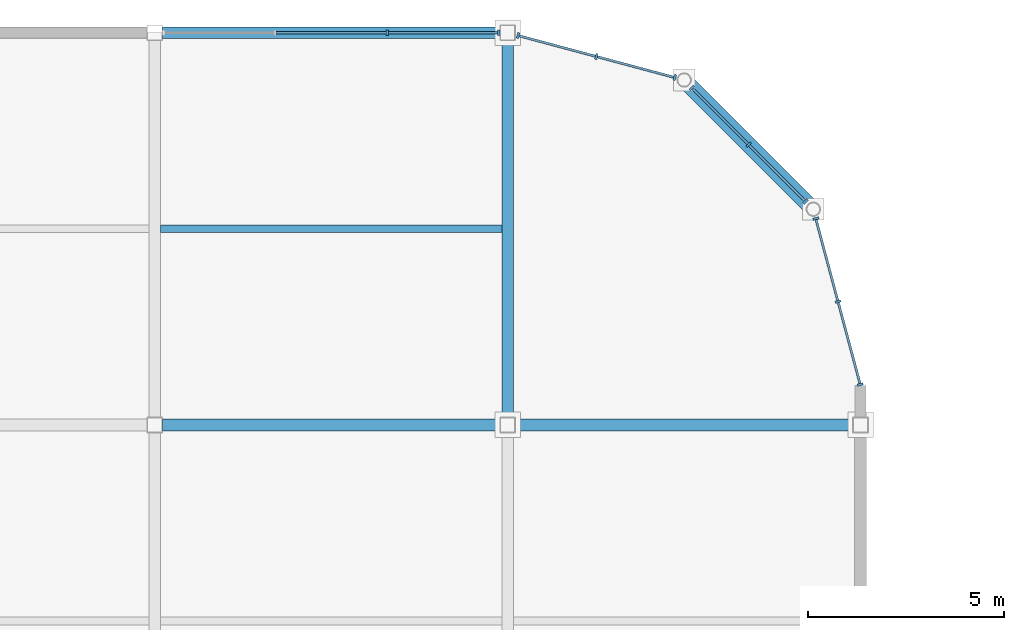
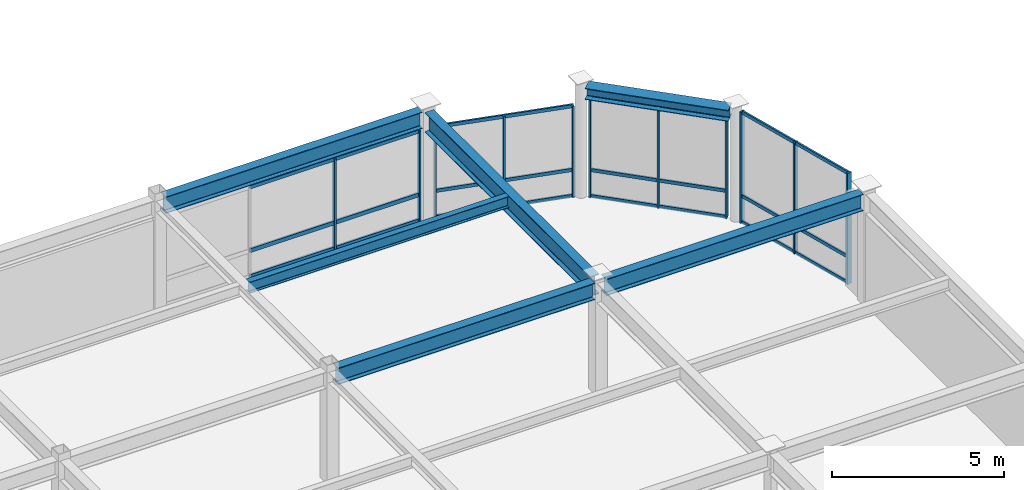
# One storey, part 32 of 70: 35 members, 6 beams, 4 elements without a shape of their own.
"""IFC4 building model written with IfcOpenShell, lengths in metres."""

from ifc_helpers import new_model, si_unit, direction, frame, origin, origin_2d, place, context, subcontext, project, spatial, rectangle, i_section, extrude, material, material_profile, profile_set, type_object, element, aggregate, save


model = new_model("IFC4")

# Units and contexts
model_context = context("Model", 3, precision=1e-05, world=origin(), true_north=direction((0.0, 1.0)))
body_context = subcontext(model_context, "Body", "Model", "MODEL_VIEW")
ifc_project = project(units=[si_unit("LENGTHUNIT", "METRE"), si_unit("AREAUNIT", "SQUARE_METRE"), si_unit("VOLUMEUNIT", "CUBIC_METRE"), si_unit("PLANEANGLEUNIT", "RADIAN"), si_unit("MASSUNIT", "GRAM", prefix="KILO")], contexts=[model_context])

# Site, building, storey
site_placement = place(None, origin())
site = spatial("IfcSite", under=ifc_project, at=site_placement, CompositionType="ELEMENT")
building_placement = place(site_placement, origin())
building = spatial("IfcBuilding", under=site, at=building_placement, Name="Suzunagisa Mobility Hub", CompositionType="ELEMENT")
storey_placement = place(building_placement, frame((0.0, 0.0, 13.5)))
storey = spatial("IfcBuildingStorey", under=building, at=storey_placement, Name="L03", CompositionType="ELEMENT", Elevation=13.5)

# Curtain wall, members
ifc_material_1 = material(Name="Thermally Broken Anodized Aluminum and Low-E Glazing", Category="aluminium")
curtain_wall_type_1 = type_object("IfcCurtainWallType", Name="Unitised Curtain Wall CW-18 8500x3200", PredefinedType="USERDEFINED", material=ifc_material_1)
curtain_wall_1_placement = place(storey_placement, origin())
curtain_wall_1 = element("IfcCurtainWall", 1, at=curtain_wall_1_placement, inside=storey, type_object=curtain_wall_type_1, Name="L03 Unitised Curtain Wall CW-128", ObjectType="UNITISED CURTAIN WALL", PredefinedType="USERDEFINED")
ifc_material_2 = material(Name="Anodized Aluminum 6063-T6", Category="aluminium")
ifc_material_profile_1 = material_profile(ifc_material_2, rectangle(XDim=0.06494140625, YDim=0.139892578125, at=origin_2d()), Name="TRAN-65x140")
ifc_profile_set_1 = profile_set([ifc_material_profile_1], Name="Anodized Aluminum 6063-T6")
member_type_1 = type_object("IfcMemberType", Name="Curtain Wall Framing CM-01 TRAN-65x140", PredefinedType="USERDEFINED", material=ifc_profile_set_1)
member_1_placement = place(storey_placement, frame((116.741943359375, 118.0, 0.032470703125), z_axis=(-1.0, 0.0, 0.0), x_axis=(0.0, -1.0, 0.0)))
member_1 = element("IfcMember", 2, at=member_1_placement, type_object=member_type_1, Name="Curtain Wall Transom 128-T1.1", ObjectType="TRANSOM", PredefinedType="USERDEFINED", context=body_context, shape_type="SweptSolid", body=[
    extrude(rectangle(XDim=0.06494140625, YDim=0.139892578125, at=origin_2d()), origin(), (0.0, 0.0, 1.0), 2.78076171875),
])
member_2_placement = place(storey_placement, frame((116.741943359375, 118.0, 0.949951171875), z_axis=(-1.0, 0.0, 0.0), x_axis=(0.0, -1.0, 0.0)))
member_2 = element("IfcMember", 3, at=member_2_placement, type_object=member_type_1, Name="Curtain Wall Transom 128-T1.2", ObjectType="TRANSOM", PredefinedType="USERDEFINED", context=body_context, shape_type="SweptSolid", body=[
    extrude(rectangle(XDim=0.06494140625, YDim=0.139892578125, at=origin_2d()), origin(), (0.0, 0.0, 1.0), 2.78076171875),
])
member_3_placement = place(storey_placement, frame((116.741943359375, 118.0, 3.20751953125), z_axis=(-1.0, 0.0, 0.0), x_axis=(0.0, -1.0, 0.0)))
member_3 = element("IfcMember", 4, at=member_3_placement, type_object=member_type_1, Name="Curtain Wall Transom 128-T1.3", ObjectType="TRANSOM", PredefinedType="USERDEFINED", context=body_context, shape_type="SweptSolid", body=[
    extrude(rectangle(XDim=0.06494140625, YDim=0.139892578125, at=origin_2d()), origin(), (0.0, 0.0, 1.0), 2.78076171875),
])
member_4_placement = place(storey_placement, frame((113.9052734375, 118.0, 0.032470703125), z_axis=(-1.0, 0.0, 0.0), x_axis=(0.0, -1.0, 0.0)))
member_4 = element("IfcMember", 5, at=member_4_placement, type_object=member_type_1, Name="Curtain Wall Transom 128-T2.1", ObjectType="TRANSOM", PredefinedType="USERDEFINED", context=body_context, shape_type="SweptSolid", body=[
    extrude(rectangle(XDim=0.06494140625, YDim=0.139892578125, at=origin_2d()), origin(), (0.0, 0.0, 1.0), 2.810546875),
])
member_5_placement = place(storey_placement, frame((113.9052734375, 118.0, 0.949951171875), z_axis=(-1.0, 0.0, 0.0), x_axis=(0.0, -1.0, 0.0)))
member_5 = element("IfcMember", 6, at=member_5_placement, type_object=member_type_1, Name="Curtain Wall Transom 128-T2.2", ObjectType="TRANSOM", PredefinedType="USERDEFINED", context=body_context, shape_type="SweptSolid", body=[
    extrude(rectangle(XDim=0.06494140625, YDim=0.139892578125, at=origin_2d()), origin(), (0.0, 0.0, 1.0), 2.810546875),
])
member_6_placement = place(storey_placement, frame((113.9052734375, 118.0, 3.20751953125), z_axis=(-1.0, 0.0, 0.0), x_axis=(0.0, -1.0, 0.0)))
member_6 = element("IfcMember", 7, at=member_6_placement, type_object=member_type_1, Name="Curtain Wall Transom 128-T2.3", ObjectType="TRANSOM", PredefinedType="USERDEFINED", context=body_context, shape_type="SweptSolid", body=[
    extrude(rectangle(XDim=0.06494140625, YDim=0.139892578125, at=origin_2d()), origin(), (0.0, 0.0, 1.0), 2.810546875),
])

curtain_wall_type_2 = type_object("IfcCurtainWallType", Name="Unitised Curtain Wall CW-48 4500x3900", PredefinedType="USERDEFINED", material=ifc_material_1)
curtain_wall_2_placement = place(storey_placement, origin())
curtain_wall_2 = element("IfcCurtainWall", 8, at=curtain_wall_2_placement, inside=storey, type_object=curtain_wall_type_2, Name="L03 Unitised Curtain Wall CW-125", ObjectType="UNITISED CURTAIN WALL", PredefinedType="USERDEFINED")
ifc_material_profile_2 = material_profile(ifc_material_2, rectangle(XDim=0.06005859375, YDim=0.1201171875, at=origin_2d()), Name="TRAN-60x120")
ifc_profile_set_2 = profile_set([ifc_material_profile_2], Name="Anodized Aluminum 6063-T6")
member_type_2 = type_object("IfcMemberType", Name="Curtain Wall Framing CM-02 TRAN-60x120", PredefinedType="USERDEFINED", material=ifc_profile_set_2)
member_7_placement = place(storey_placement, frame((125.985107421875, 109.055908203125, 0.030029296875), z_axis=(-0.258808494253, 0.965928653319, 0.0), x_axis=(-0.965928653319, -0.258808494253, 0.0)))
member_7 = element("IfcMember", 9, at=member_7_placement, type_object=member_type_2, Name="Curtain Wall Transom 125-T1.1", ObjectType="TRANSOM", PredefinedType="USERDEFINED", context=body_context, shape_type="SweptSolid", body=[
    extrude(rectangle(XDim=0.06005859375, YDim=0.1201171875, at=origin_2d()), origin(), (0.0, 0.0, 1.0), 2.134765625),
])
member_8_placement = place(storey_placement, frame((125.985107421875, 109.055908203125, 0.949951171875), z_axis=(-0.258808494253, 0.965928653319, 0.0), x_axis=(-0.965928653319, -0.258808494253, 0.0)))
member_8 = element("IfcMember", 10, at=member_8_placement, type_object=member_type_2, Name="Curtain Wall Transom 125-T1.2", ObjectType="TRANSOM", PredefinedType="USERDEFINED", context=body_context, shape_type="SweptSolid", body=[
    extrude(rectangle(XDim=0.06005859375, YDim=0.1201171875, at=origin_2d()), origin(), (0.0, 0.0, 1.0), 2.134765625),
])
member_9_placement = place(storey_placement, frame((125.985107421875, 109.055908203125, 3.909912109375), z_axis=(-0.258808494253, 0.965928653319, 0.0), x_axis=(-0.965928653319, -0.258808494253, 0.0)))
member_9 = element("IfcMember", 11, at=member_9_placement, type_object=member_type_2, Name="Curtain Wall Transom 125-T1.3", ObjectType="TRANSOM", PredefinedType="USERDEFINED", context=body_context, shape_type="SweptSolid", body=[
    extrude(rectangle(XDim=0.06005859375, YDim=0.1201171875, at=origin_2d()), origin(), (0.0, 0.0, 1.0), 2.134765625),
])
member_10_placement = place(storey_placement, frame((125.41796875, 111.171875, 0.030029296875), z_axis=(-0.258837087522, 0.965920991657, 0.0), x_axis=(-0.965920991657, -0.258837087522, 0.0)))
member_10 = element("IfcMember", 12, at=member_10_placement, type_object=member_type_2, Name="Curtain Wall Transom 125-T2.1", ObjectType="TRANSOM", PredefinedType="USERDEFINED", context=body_context, shape_type="SweptSolid", body=[
    extrude(rectangle(XDim=0.06005859375, YDim=0.1201171875, at=origin_2d()), origin(), (0.0, 0.0, 1.0), 2.134521484375),
])
member_11_placement = place(storey_placement, frame((125.41796875, 111.171875, 0.949951171875), z_axis=(-0.258837087522, 0.965920991657, 0.0), x_axis=(-0.965920991657, -0.258837087522, 0.0)))
member_11 = element("IfcMember", 13, at=member_11_placement, type_object=member_type_2, Name="Curtain Wall Transom 125-T2.2", ObjectType="TRANSOM", PredefinedType="USERDEFINED", context=body_context, shape_type="SweptSolid", body=[
    extrude(rectangle(XDim=0.06005859375, YDim=0.1201171875, at=origin_2d()), origin(), (0.0, 0.0, 1.0), 2.134521484375),
])
member_12_placement = place(storey_placement, frame((125.41796875, 111.171875, 3.909912109375), z_axis=(-0.258837087522, 0.965920991657, 0.0), x_axis=(-0.965920991657, -0.258837087522, 0.0)))
member_12 = element("IfcMember", 14, at=member_12_placement, type_object=member_type_2, Name="Curtain Wall Transom 125-T2.3", ObjectType="TRANSOM", PredefinedType="USERDEFINED", context=body_context, shape_type="SweptSolid", body=[
    extrude(rectangle(XDim=0.06005859375, YDim=0.1201171875, at=origin_2d()), origin(), (0.0, 0.0, 1.0), 2.134521484375),
])

curtain_wall_type_3 = type_object("IfcCurtainWallType", Name="Unitised Curtain Wall CW-24 4250x3500", PredefinedType="USERDEFINED", material=ifc_material_1)
curtain_wall_3_placement = place(storey_placement, origin())
curtain_wall_3 = element("IfcCurtainWall", 15, at=curtain_wall_3_placement, inside=storey, type_object=curtain_wall_type_3, Name="L03 Unitised Curtain Wall CW-126", ObjectType="UNITISED CURTAIN WALL", PredefinedType="USERDEFINED")
member_13_placement = place(storey_placement, frame((124.575439453125, 113.71875, 0.030029296875), z_axis=(-0.707106781187, 0.707106781187, 0.0), x_axis=(-0.707106781187, -0.707106781187, 0.0)))
member_13 = element("IfcMember", 16, at=member_13_placement, type_object=member_type_2, Name="Curtain Wall Transom 126-T1.1", ObjectType="TRANSOM", PredefinedType="USERDEFINED", context=body_context, shape_type="SweptSolid", body=[
    extrude(rectangle(XDim=0.06005859375, YDim=0.1201171875, at=origin_2d()), origin(), (0.0, 0.0, 1.0), 1.991943359375),
])
member_14_placement = place(storey_placement, frame((124.575439453125, 113.71875, 0.949951171875), z_axis=(-0.707106781187, 0.707106781187, 0.0), x_axis=(-0.707106781187, -0.707106781187, 0.0)))
member_14 = element("IfcMember", 17, at=member_14_placement, type_object=member_type_2, Name="Curtain Wall Transom 126-T1.2", ObjectType="TRANSOM", PredefinedType="USERDEFINED", context=body_context, shape_type="SweptSolid", body=[
    extrude(rectangle(XDim=0.06005859375, YDim=0.1201171875, at=origin_2d()), origin(), (0.0, 0.0, 1.0), 1.991943359375),
])
member_15_placement = place(storey_placement, frame((124.575439453125, 113.71875, 3.510009765625), z_axis=(-0.707106781187, 0.707106781187, 0.0), x_axis=(-0.707106781187, -0.707106781187, 0.0)))
member_15 = element("IfcMember", 18, at=member_15_placement, type_object=member_type_2, Name="Curtain Wall Transom 126-T1.3", ObjectType="TRANSOM", PredefinedType="USERDEFINED", context=body_context, shape_type="SweptSolid", body=[
    extrude(rectangle(XDim=0.06005859375, YDim=0.1201171875, at=origin_2d()), origin(), (0.0, 0.0, 1.0), 1.991943359375),
])
member_16_placement = place(storey_placement, frame((123.127197265625, 115.1669921875, 0.030029296875), z_axis=(-0.707106781187, 0.707106781187, 0.0), x_axis=(-0.707106781187, -0.707106781187, 0.0)))
member_16 = element("IfcMember", 19, at=member_16_placement, type_object=member_type_2, Name="Curtain Wall Transom 126-T2.1", ObjectType="TRANSOM", PredefinedType="USERDEFINED", context=body_context, shape_type="SweptSolid", body=[
    extrude(rectangle(XDim=0.06005859375, YDim=0.1201171875, at=origin_2d()), origin(), (0.0, 0.0, 1.0), 1.991943359375),
])
member_17_placement = place(storey_placement, frame((123.127197265625, 115.1669921875, 0.949951171875), z_axis=(-0.707106781187, 0.707106781187, 0.0), x_axis=(-0.707106781187, -0.707106781187, 0.0)))
member_17 = element("IfcMember", 20, at=member_17_placement, type_object=member_type_2, Name="Curtain Wall Transom 126-T2.2", ObjectType="TRANSOM", PredefinedType="USERDEFINED", context=body_context, shape_type="SweptSolid", body=[
    extrude(rectangle(XDim=0.06005859375, YDim=0.1201171875, at=origin_2d()), origin(), (0.0, 0.0, 1.0), 1.991943359375),
])
member_18_placement = place(storey_placement, frame((123.127197265625, 115.1669921875, 3.510009765625), z_axis=(-0.707106781187, 0.707106781187, 0.0), x_axis=(-0.707106781187, -0.707106781187, 0.0)))
member_18 = element("IfcMember", 21, at=member_18_placement, type_object=member_type_2, Name="Curtain Wall Transom 126-T2.3", ObjectType="TRANSOM", PredefinedType="USERDEFINED", context=body_context, shape_type="SweptSolid", body=[
    extrude(rectangle(XDim=0.06005859375, YDim=0.1201171875, at=origin_2d()), origin(), (0.0, 0.0, 1.0), 1.991943359375),
])

curtain_wall_type_4 = type_object("IfcCurtainWallType", Name="Unitised Curtain Wall CW-01 4250x3200", PredefinedType="USERDEFINED", material=ifc_material_1)
curtain_wall_4_placement = place(storey_placement, origin())
curtain_wall_4 = element("IfcCurtainWall", 22, at=curtain_wall_4_placement, inside=storey, type_object=curtain_wall_type_4, Name="L03 Unitised Curtain Wall CW-127", ObjectType="UNITISED CURTAIN WALL", PredefinedType="USERDEFINED")
member_19_placement = place(storey_placement, frame((121.233642578125, 116.865478515625, 0.030029296875), z_axis=(-0.965891707476, 0.258946344693, 0.0), x_axis=(-0.258946344693, -0.965891707476, 0.0)))
member_19 = element("IfcMember", 23, at=member_19_placement, type_object=member_type_2, Name="Curtain Wall Transom 127-T1.1", ObjectType="TRANSOM", PredefinedType="USERDEFINED", context=body_context, shape_type="SweptSolid", body=[
    extrude(rectangle(XDim=0.06005859375, YDim=0.1201171875, at=origin_2d()), origin(), (0.0, 0.0, 1.0), 2.011962890625),
])
member_20_placement = place(storey_placement, frame((121.233642578125, 116.865478515625, 0.949951171875), z_axis=(-0.965891707476, 0.258946344693, 0.0), x_axis=(-0.258946344693, -0.965891707476, 0.0)))
member_20 = element("IfcMember", 24, at=member_20_placement, type_object=member_type_2, Name="Curtain Wall Transom 127-T1.2", ObjectType="TRANSOM", PredefinedType="USERDEFINED", context=body_context, shape_type="SweptSolid", body=[
    extrude(rectangle(XDim=0.06005859375, YDim=0.1201171875, at=origin_2d()), origin(), (0.0, 0.0, 1.0), 2.011962890625),
])
member_21_placement = place(storey_placement, frame((121.233642578125, 116.865478515625, 3.2099609375), z_axis=(-0.965891707476, 0.258946344693, 0.0), x_axis=(-0.258946344693, -0.965891707476, 0.0)))
member_21 = element("IfcMember", 25, at=member_21_placement, type_object=member_type_2, Name="Curtain Wall Transom 127-T1.3", ObjectType="TRANSOM", PredefinedType="USERDEFINED", context=body_context, shape_type="SweptSolid", body=[
    extrude(rectangle(XDim=0.06005859375, YDim=0.1201171875, at=origin_2d()), origin(), (0.0, 0.0, 1.0), 2.011962890625),
])
member_22_placement = place(storey_placement, frame((119.236083984375, 117.40087890625, 0.030029296875), z_axis=(-0.965930179601, 0.258802797775, 0.0), x_axis=(-0.258802797775, -0.965930179601, 0.0)))
member_22 = element("IfcMember", 26, at=member_22_placement, type_object=member_type_2, Name="Curtain Wall Transom 127-T2.1", ObjectType="TRANSOM", PredefinedType="USERDEFINED", context=body_context, shape_type="SweptSolid", body=[
    extrude(rectangle(XDim=0.06005859375, YDim=0.1201171875, at=origin_2d()), origin(), (0.0, 0.0, 1.0), 2.01220703125),
])
member_23_placement = place(storey_placement, frame((119.236083984375, 117.40087890625, 0.949951171875), z_axis=(-0.965930179601, 0.258802797775, 0.0), x_axis=(-0.258802797775, -0.965930179601, 0.0)))
member_23 = element("IfcMember", 27, at=member_23_placement, type_object=member_type_2, Name="Curtain Wall Transom 127-T2.2", ObjectType="TRANSOM", PredefinedType="USERDEFINED", context=body_context, shape_type="SweptSolid", body=[
    extrude(rectangle(XDim=0.06005859375, YDim=0.1201171875, at=origin_2d()), origin(), (0.0, 0.0, 1.0), 2.01220703125),
])
member_24_placement = place(storey_placement, frame((119.236083984375, 117.40087890625, 3.2099609375), z_axis=(-0.965930179601, 0.258802797775, 0.0), x_axis=(-0.258802797775, -0.965930179601, 0.0)))
member_24 = element("IfcMember", 28, at=member_24_placement, type_object=member_type_2, Name="Curtain Wall Transom 127-T2.3", ObjectType="TRANSOM", PredefinedType="USERDEFINED", context=body_context, shape_type="SweptSolid", body=[
    extrude(rectangle(XDim=0.06005859375, YDim=0.1201171875, at=origin_2d()), origin(), (0.0, 0.0, 1.0), 2.01220703125),
])

# Member
ifc_material_profile_3 = material_profile(ifc_material_2, rectangle(XDim=0.06005859375, YDim=0.14990234375, at=origin_2d()), Name="MULL-60x150")
ifc_profile_set_3 = profile_set([ifc_material_profile_3], Name="Anodized Aluminum 6063-T6")
member_type_3 = type_object("IfcMemberType", Name="Curtain Wall Framing CM-03 MULL-60x150", PredefinedType="MULLION", material=ifc_profile_set_3)
member_25_placement = place(storey_placement, frame((125.9921875, 109.029052734375, 0.0), z_axis=(0.0, 0.0, 1.0), x_axis=(-0.258814496501, 0.965927045072, 0.0)))
member_25 = element("IfcMember", 29, at=member_25_placement, type_object=member_type_3, Name="Curtain Wall Mullion 125-M1", PredefinedType="MULLION", context=body_context, shape_type="SweptSolid", body=[
    extrude(rectangle(XDim=0.06005859375, YDim=0.14990234375, at=origin_2d()), origin(), (0.0, 0.0, 1.0), 3.93994140625),
])

member_26_placement = place(storey_placement, frame((125.42529296875, 111.144775390625, 0.0), z_axis=(0.0, 0.0, 1.0), x_axis=(-0.258814496501, 0.965927045072, 0.0)))
member_26 = element("IfcMember", 30, at=member_26_placement, type_object=member_type_3, Name="Curtain Wall Mullion 125-M2", PredefinedType="MULLION", context=body_context, shape_type="SweptSolid", body=[
    extrude(rectangle(XDim=0.06005859375, YDim=0.14990234375, at=origin_2d()), origin(), (0.0, 0.0, 1.0), 3.93994140625),
])

member_27_placement = place(storey_placement, frame((124.8583984375, 113.2607421875, 0.0), z_axis=(0.0, 0.0, 1.0), x_axis=(-0.258814496501, 0.965927045072, 0.0)))
member_27 = element("IfcMember", 31, at=member_27_placement, type_object=member_type_3, Name="Curtain Wall Mullion 125-M3", PredefinedType="MULLION", context=body_context, shape_type="SweptSolid", body=[
    extrude(rectangle(XDim=0.06005859375, YDim=0.14990234375, at=origin_2d()), origin(), (0.0, 0.0, 1.0), 3.93994140625),
])

aggregate(curtain_wall_2, [member_25, member_26, member_27, member_7, member_8, member_9, member_10, member_11, member_12])

member_28_placement = place(storey_placement, frame((124.59521484375, 113.698974609375, 0.0), z_axis=(0.0, 0.0, 1.0), x_axis=(-0.707106781187, 0.707106781187, 0.0)))
member_28 = element("IfcMember", 32, at=member_28_placement, type_object=member_type_3, Name="Curtain Wall Mullion 126-M1", PredefinedType="MULLION", context=body_context, shape_type="SweptSolid", body=[
    extrude(rectangle(XDim=0.06005859375, YDim=0.14990234375, at=origin_2d()), origin(), (0.0, 0.0, 1.0), 3.5400390625),
])

member_29_placement = place(storey_placement, frame((123.147216796875, 115.147216796875, 0.0), z_axis=(0.0, 0.0, 1.0), x_axis=(-0.707106781187, 0.707106781187, 0.0)))
member_29 = element("IfcMember", 33, at=member_29_placement, type_object=member_type_3, Name="Curtain Wall Mullion 126-M2", PredefinedType="MULLION", context=body_context, shape_type="SweptSolid", body=[
    extrude(rectangle(XDim=0.06005859375, YDim=0.14990234375, at=origin_2d()), origin(), (0.0, 0.0, 1.0), 3.5400390625),
])

member_30_placement = place(storey_placement, frame((121.698974609375, 116.59521484375, 0.0), z_axis=(0.0, 0.0, 1.0), x_axis=(-0.707106781187, 0.707106781187, 0.0)))
member_30 = element("IfcMember", 34, at=member_30_placement, type_object=member_type_3, Name="Curtain Wall Mullion 126-M3", PredefinedType="MULLION", context=body_context, shape_type="SweptSolid", body=[
    extrude(rectangle(XDim=0.06005859375, YDim=0.14990234375, at=origin_2d()), origin(), (0.0, 0.0, 1.0), 3.5400390625),
])

aggregate(curtain_wall_3, [member_28, member_29, member_30, member_13, member_14, member_15, member_16, member_17, member_18])

member_31_placement = place(storey_placement, frame((121.2607421875, 116.8583984375, 0.0), z_axis=(0.0, 0.0, 1.0), x_axis=(-0.965927308128, 0.25881351474, 0.0)))
member_31 = element("IfcMember", 35, at=member_31_placement, type_object=member_type_3, Name="Curtain Wall Mullion 127-M1", PredefinedType="MULLION", context=body_context, shape_type="SweptSolid", body=[
    extrude(rectangle(XDim=0.06005859375, YDim=0.14990234375, at=origin_2d()), origin(), (0.0, 0.0, 1.0), 3.239990234375),
])

member_32_placement = place(storey_placement, frame((119.26318359375, 117.3935546875, 0.0), z_axis=(0.0, 0.0, 1.0), x_axis=(-0.965927308128, 0.25881351474, 0.0)))
member_32 = element("IfcMember", 36, at=member_32_placement, type_object=member_type_3, Name="Curtain Wall Mullion 127-M2", PredefinedType="MULLION", context=body_context, shape_type="SweptSolid", body=[
    extrude(rectangle(XDim=0.06005859375, YDim=0.14990234375, at=origin_2d()), origin(), (0.0, 0.0, 1.0), 3.239990234375),
])

member_33_placement = place(storey_placement, frame((117.265625, 117.928955078125, 0.0), z_axis=(0.0, 0.0, 1.0), x_axis=(-0.965927308128, 0.25881351474, 0.0)))
member_33 = element("IfcMember", 37, at=member_33_placement, type_object=member_type_3, Name="Curtain Wall Mullion 127-M3", PredefinedType="MULLION", context=body_context, shape_type="SweptSolid", body=[
    extrude(rectangle(XDim=0.06005859375, YDim=0.14990234375, at=origin_2d()), origin(), (0.0, 0.0, 1.0), 3.239990234375),
])

aggregate(curtain_wall_4, [member_31, member_32, member_33, member_19, member_20, member_21, member_22, member_23, member_24])

member_34_placement = place(storey_placement, frame((116.77001953125, 118.0, 0.0), z_axis=(0.0, 0.0, 1.0), x_axis=(-1.0, 0.0, 0.0)))
member_34 = element("IfcMember", 38, at=member_34_placement, type_object=member_type_3, Name="Curtain Wall Mullion 128-M1", PredefinedType="MULLION", context=body_context, shape_type="SweptSolid", body=[
    extrude(rectangle(XDim=0.06005859375, YDim=0.14990234375, at=origin_2d()), origin(), (0.0, 0.0, 1.0), 3.239990234375),
])

member_35_placement = place(storey_placement, frame((113.933349609375, 118.0, 0.0), z_axis=(0.0, 0.0, 1.0), x_axis=(-1.0, 0.0, 0.0)))
member_35 = element("IfcMember", 39, at=member_35_placement, type_object=member_type_3, Name="Curtain Wall Mullion 128-M2", PredefinedType="MULLION", context=body_context, shape_type="SweptSolid", body=[
    extrude(rectangle(XDim=0.06005859375, YDim=0.14990234375, at=origin_2d()), origin(), (0.0, 0.0, 1.0), 3.239990234375),
])

aggregate(curtain_wall_1, [member_34, member_35, member_1, member_2, member_3, member_4, member_5, member_6])

# Beams
ifc_material_3 = material(Name="Steel SN490B", Category="steel")
ifc_material_profile_4 = material_profile(ifc_material_3, i_section(OverallWidth=0.300048828125, OverallDepth=0.699951171875, WebThickness=0.012939453125, FlangeThickness=0.02392578125, FilletRadius=0.01806640625, at=origin_2d()), Name="H-700x300x13x24")
ifc_profile_set_4 = profile_set([ifc_material_profile_4], Name="Steel SN490B")
beam_type_1 = type_object("IfcBeamType", Name="Steel Beam BM-11 H-700x300x13x24", PredefinedType="BEAM", material=ifc_profile_set_4)
beam_1_placement = place(storey_placement, frame((117.0, 108.196044921875, 3.590087890625), z_axis=(0.0, 1.0, 0.0), x_axis=(-1.0, 0.0, 0.0)))
element("IfcBeam", 40, at=beam_1_placement, inside=storey, type_object=beam_type_1, Name="L03 Primary Girder GY-1131", PredefinedType="BEAM", context=body_context, shape_type="SweptSolid", body=[
    extrude(i_section(OverallWidth=0.300048828125, OverallDepth=0.699951171875, WebThickness=0.012939453125, FlangeThickness=0.02392578125, FilletRadius=0.01806640625, at=origin_2d()), origin(), (0.0, 0.0, 1.0), 9.60791015625),
])
ifc_material_profile_5 = material_profile(ifc_material_3, i_section(OverallWidth=0.39990234375, OverallDepth=0.39990234375, WebThickness=0.012939453125, FlangeThickness=0.02099609375, FilletRadius=0.01611328125, at=origin_2d()), Name="H-400x400x13x21")
ifc_profile_set_5 = profile_set([ifc_material_profile_5], Name="Steel SN490B")
beam_type_2 = type_object("IfcBeamType", Name="Steel Beam BM-12 H-400x400x13x21", PredefinedType="SPANDREL", material=ifc_profile_set_5)
beam_2_placement = place(storey_placement, frame((124.66845703125, 113.625732421875, 3.739990234375), z_axis=(-0.707106781187, 0.707106781187, 0.0), x_axis=(-0.707106781187, -0.707106781187, 0.0)))
element("IfcBeam", 41, at=beam_2_placement, inside=storey, type_object=beam_type_2, Name="L03 Streamline Prow Spandrel 1135", PredefinedType="SPANDREL", context=body_context, shape_type="SweptSolid", body=[
    extrude(i_section(OverallWidth=0.39990234375, OverallDepth=0.39990234375, WebThickness=0.012939453125, FlangeThickness=0.02099609375, FilletRadius=0.01611328125, at=origin_2d()), origin(), (0.0, 0.0, 1.0), 4.302978515625),
])
ifc_material_4 = material(Name="Steel SN400B", Category="steel")
ifc_material_profile_6 = material_profile(ifc_material_4, i_section(OverallWidth=0.199951171875, OverallDepth=0.39990234375, WebThickness=0.008056640625, FlangeThickness=0.012939453125, FilletRadius=0.012939453125, at=origin_2d()), Name="H-400x200x8x13")
ifc_profile_set_6 = profile_set([ifc_material_profile_6], Name="Steel SN400B")
beam_type_3 = type_object("IfcBeamType", Name="Steel Beam BM-14 H-400x200x8x13", PredefinedType="JOIST", material=ifc_profile_set_6)
beam_3_placement = place(storey_placement, frame((108.14990234375, 113.0, 3.739990234375), z_axis=(1.0, 0.0, 0.0), x_axis=(0.0, 1.0, 0.0)))
element("IfcBeam", 42, at=beam_3_placement, inside=storey, type_object=beam_type_3, Name="L03 Composite Floor Joist J-1139", PredefinedType="JOIST", context=body_context, shape_type="SweptSolid", body=[
    extrude(i_section(OverallWidth=0.199951171875, OverallDepth=0.39990234375, WebThickness=0.008056640625, FlangeThickness=0.012939453125, FilletRadius=0.012939453125, at=origin_2d()), origin(), (0.0, 0.0, 1.0), 8.7001953125),
])
ifc_material_profile_7 = material_profile(ifc_material_3, i_section(OverallWidth=0.300048828125, OverallDepth=0.587890625, WebThickness=0.011962890625, FlangeThickness=0.02001953125, FilletRadius=0.012939453125, at=origin_2d()), Name="H-588x300x12x20")
ifc_profile_set_7 = profile_set([ifc_material_profile_7], Name="Steel SN490B")
beam_type_4 = type_object("IfcBeamType", Name="Steel Beam BM-16 H-588x300x12x20", PredefinedType="BEAM", material=ifc_profile_set_7)
for number, where, z_axis, x_axis, name in (
    (43, (108.196044921875, 108.0, 3.64599609375), (1.0, 0.0, 0.0), (0.0, 1.0, 0.0), "L03 Primary Girder GX-1125"),
    (44, (117.196044921875, 108.0, 3.64599609375), (1.0, 0.0, 0.0), (0.0, 1.0, 0.0), "L03 Primary Girder GX-1126"),
    (45, (108.196044921875, 118.0, 3.64599609375), (1.0, 0.0, 0.0), (0.0, 1.0, 0.0), "L03 Primary Girder GX-1127"),
):
    element("IfcBeam", number, at=place(storey_placement, frame(where, z_axis=z_axis, x_axis=x_axis)), inside=storey, type_object=beam_type_4, Name=name, PredefinedType="BEAM", context=body_context, shape_type="SweptSolid", body=[
        extrude(i_section(OverallWidth=0.300048828125, OverallDepth=0.587890625, WebThickness=0.011962890625, FlangeThickness=0.02001953125, FilletRadius=0.012939453125, at=origin_2d()), origin(), (0.0, 0.0, 1.0), 8.60791015625),
    ])

save(model, "model.ifc")
